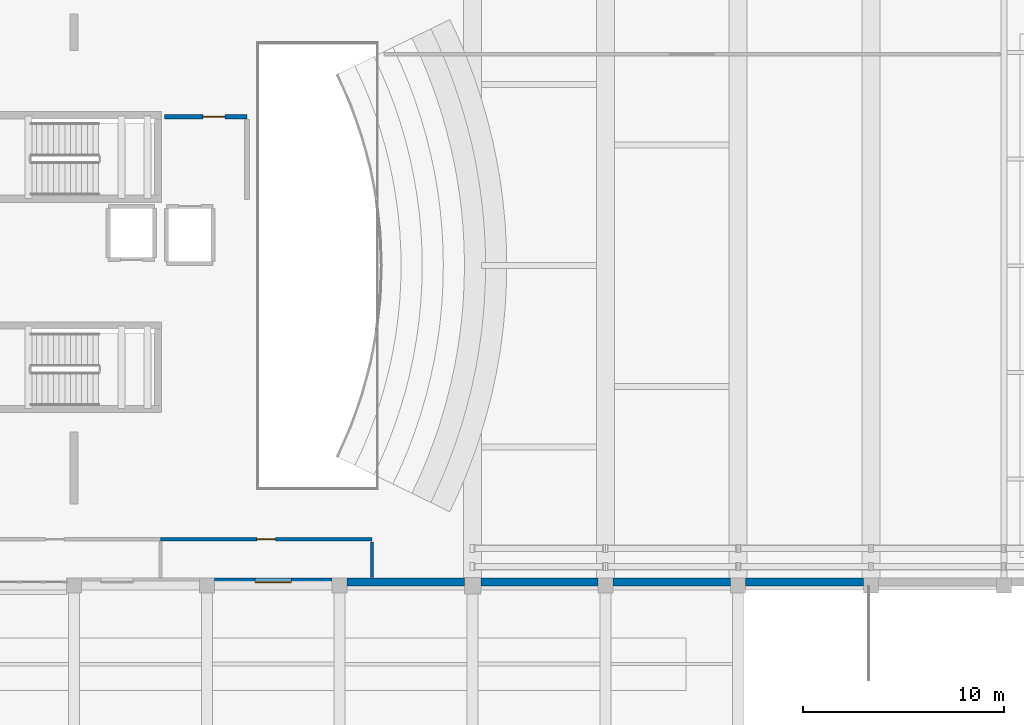
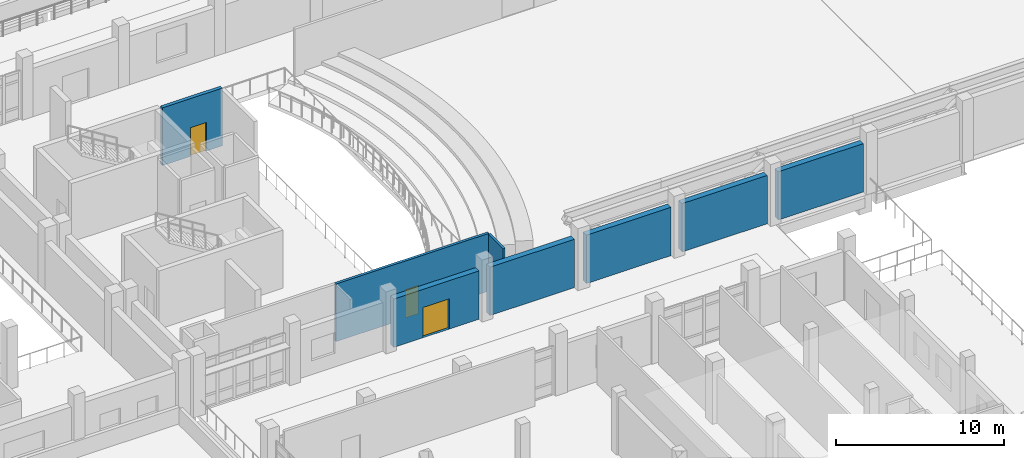
# One storey, part 40 of 54: 8 walls, 3 doors, 3 openings.
"""IFC4 building model written with IfcOpenShell, lengths in metres."""

from ifc_helpers import new_model, si_unit, direction, frame, frame_2d, origin, place, context, subcontext, project, spatial, rectangle, extrude, material, layer, layer_set, type_object, element, fill, save


model = new_model("IFC4")

# Units and contexts
model_context = context("Model", 3, precision=1e-05, world=origin(), true_north=direction((0.0, 1.0)))
body_context = subcontext(model_context, "Body", "Model", "MODEL_VIEW")
ifc_project = project(units=[si_unit("LENGTHUNIT", "METRE"), si_unit("AREAUNIT", "SQUARE_METRE"), si_unit("VOLUMEUNIT", "CUBIC_METRE"), si_unit("PLANEANGLEUNIT", "RADIAN"), si_unit("MASSUNIT", "GRAM", prefix="KILO")], contexts=[model_context])

# Site, building, storey
site_placement = place(None, origin())
site = spatial("IfcSite", under=ifc_project, at=site_placement, CompositionType="ELEMENT")
building_placement = place(site_placement, origin())
building = spatial("IfcBuilding", under=site, at=building_placement, Name="Kelarvand Opera House", CompositionType="ELEMENT")
storey_placement = place(building_placement, frame((0.0, 0.0, 15.0)))
storey = spatial("IfcBuildingStorey", under=building, at=storey_placement, Name="L03", CompositionType="ELEMENT", Elevation=15.0)

# Walls
ifc_material_1 = material(Name="Concrete C35/45", Category="concrete")
ifc_layer_1 = layer(ifc_material_1, 0.39990234375, Name="Concrete C35/45", Category="concrete")
ifc_layer_set_1 = layer_set([ifc_layer_1], Name="Concrete C35/45")
wall_type_1 = type_object("IfcWallType", Name="Acoustic Brick-Travertine Double Wall 400", PredefinedType="SOLIDWALL", material=ifc_layer_set_1)
wall_1_placement = place(storey_placement, frame((134.824951171875, 46.780029296875, 0.0), z_axis=(0.0, 0.0, 1.0), x_axis=(-1.0, 0.0, 0.0)))
element("IfcWall", 1, at=wall_1_placement, inside=storey, type_object=wall_type_1, Name="V1 L03 Exterior Wall EW-400 (143)", PredefinedType="SOLIDWALL", context=body_context, shape_type="SweptSolid", body=[
    extrude(rectangle(XDim=5.849853515625, YDim=0.39990234375, at=frame_2d((2.9248046875, 0.0))), origin(), (0.0, 0.0, 1.0), 3.511962890625),
])
wall_2_placement = place(storey_placement, frame((128.22509765625, 46.780029296875, 0.0), z_axis=(0.0, 0.0, 1.0), x_axis=(-1.0, 0.0, 0.0)))
element("IfcWall", 2, at=wall_2_placement, inside=storey, type_object=wall_type_1, Name="V1 L03 Exterior Wall EW-400 (144)", PredefinedType="SOLIDWALL", context=body_context, shape_type="SweptSolid", body=[
    extrude(rectangle(XDim=5.85009765625, YDim=0.39990234375, at=frame_2d((2.925048828125, 0.0))), origin(), (0.0, 0.0, 1.0), 3.511962890625),
])
for number, where, z_axis, x_axis, name in (
    (3, (121.625, 46.780029296875, 0.0), (0.0, 0.0, 1.0), (-1.0, 0.0, 0.0), "V1 L03 Exterior Wall EW-400 (145)"),
    (4, (114.989990234375, 46.780029296875, 0.0), (0.0, 0.0, 1.0), (-1.0, 0.0, 0.0), "V1 L03 Exterior Wall EW-400 (146)"),
):
    element("IfcWall", number, at=place(storey_placement, frame(where, z_axis=z_axis, x_axis=x_axis)), inside=storey, type_object=wall_type_1, Name=name, PredefinedType="SOLIDWALL", context=body_context, shape_type="SweptSolid", body=[
        extrude(rectangle(XDim=5.81494140625, YDim=0.39990234375, at=frame_2d((2.907470703125, 0.0))), origin(), (0.0, 0.0, 1.0), 3.511962890625),
    ])

# Wall, opening, door
wall_3_placement = place(storey_placement, frame((108.425048828125, 46.780029296875, 0.0), z_axis=(0.0, 0.0, 1.0), x_axis=(-1.0, 0.0, 0.0)))
wall_3 = element("IfcWall", 5, at=wall_3_placement, inside=storey, type_object=wall_type_1, Name="V1 L03 Exterior Wall EW-400 (147)", PredefinedType="SOLIDWALL", context=body_context, shape_type="SweptSolid", body=[
    extrude(rectangle(XDim=5.85009765625, YDim=0.39990234375, at=frame_2d((2.925048828125, 0.0))), origin(), (0.0, 0.0, 1.0), 3.511962890625),
])
opening_1_placement = place(wall_3_placement, frame((2.02490234375, 0.0, 0.0)))
opening_1 = element("IfcOpeningElement", 6, at=opening_1_placement, cuts=wall_3, Name="Opening TD-180", PredefinedType="OPENING", context=body_context, shape_type="SweptSolid", body=[
    extrude(rectangle(XDim=1.800048828125, YDim=2.199951171875, at=frame_2d((0.89990234375, 1.10009765625))), frame((0.0, 0.2099609375, 0.0), z_axis=(0.0, -1.0, 0.0), x_axis=(1.0, 0.0, 0.0)), (0.0, 0.0, 1.0), 0.419921875),
])
ifc_material_2 = material(Name="Thermally broken bronze-anodised aluminium and safety glass", Category="aluminium")
door_type_1 = type_object("IfcDoorType", Name="Glazed Planted Roof Terrace Double Door 1800x2200", OperationType="NOTDEFINED", PredefinedType="DOOR", material=ifc_material_2)
door_1_placement = place(opening_1_placement, origin())
door_1 = element("IfcDoor", 7, at=door_1_placement, inside=storey, type_object=door_type_1, Name="V1 L03 Planted Terrace Door 2", OperationType="DOUBLE_DOOR_SINGLE_SWING", OverallHeight=2.199951171875, OverallWidth=1.800048828125, PredefinedType="DOOR", context=body_context, shape_type="SweptSolid", body=[
    extrude(rectangle(XDim=1.800048828125, YDim=2.199951171875, at=frame_2d((0.89990234375, 1.10009765625))), frame((0.0, 0.02490234375, 0.0), z_axis=(0.0, -1.0, 0.0), x_axis=(1.0, 0.0, 0.0)), (0.0, 0.0, 1.0), 0.050048828125),
])
fill(opening_1, door_1)

# Wall
ifc_material_3 = material(Name="Acoustic double-stud gypsum partition")
ifc_layer_2 = layer(ifc_material_3, 0.14990234375, Name="Acoustic double-stud gypsum partition")
ifc_layer_set_2 = layer_set([ifc_layer_2], Name="Acoustic double-stud gypsum partition")
wall_type_2 = type_object("IfcWallType", Name="Acoustic Room Partition Wall 150", PredefinedType="PARTITIONING", material=ifc_layer_set_2)
wall_4_placement = place(storey_placement, frame((110.39990234375, 47.0, 0.0), z_axis=(0.0, 0.0, 1.0), x_axis=(0.0, 1.0, 0.0)))
element("IfcWall", 8, at=wall_4_placement, inside=storey, type_object=wall_type_2, Name="V1 L03 Partition Wall IW-150 (576)", PredefinedType="PARTITIONING", context=body_context, shape_type="SweptSolid", body=[
    extrude(rectangle(XDim=1.760009765625, YDim=0.14990234375, at=frame_2d((0.8798828125, 0.0))), origin(), (0.0, 0.0, 1.0), 4.19189453125),
])

# Wall, opening, door
ifc_layer_3 = layer(ifc_material_1, 0.179931640625, Name="Concrete C35/45", Category="concrete")
ifc_layer_set_3 = layer_set([ifc_layer_3], Name="Concrete C35/45")
wall_type_3 = type_object("IfcWallType", Name="Corridor Fire-Rated Partition Wall 180 EI90", PredefinedType="PARTITIONING", material=ifc_layer_set_3)
wall_5_placement = place(storey_placement, frame((99.89990234375, 48.89990234375, 0.0), z_axis=(0.0, 0.0, 1.0), x_axis=(1.0, 0.0, 0.0)))
wall_5 = element("IfcWall", 9, at=wall_5_placement, inside=storey, type_object=wall_type_3, Name="V1 L03 Partition Wall IW-90 (577)", PredefinedType="PARTITIONING", context=body_context, shape_type="SweptSolid", body=[
    extrude(rectangle(XDim=10.5, YDim=0.179931640625, at=frame_2d((5.25, 0.0))), origin(), (0.0, 0.0, 1.0), 4.19189453125),
])
opening_2_placement = place(wall_5_placement, frame((4.7900390625, 0.0, 0.0)))
opening_2 = element("IfcOpeningElement", 10, at=opening_2_placement, cuts=wall_5, Name="Opening D-01", PredefinedType="OPENING", context=body_context, shape_type="SweptSolid", body=[
    extrude(rectangle(XDim=0.919921875, YDim=2.050048828125, at=frame_2d((0.4599609375, 1.02490234375))), frame((0.0, 0.10009765625, 0.0), z_axis=(0.0, -1.0, 0.0), x_axis=(1.0, 0.0, 0.0)), (0.0, 0.0, 1.0), 0.199951171875),
])
ifc_material_4 = material(Name="Acoustic walnut-veneered hardwood", Category="wood")
door_type_2 = type_object("IfcDoorType", Name="Solid Timber Dressing and WC Door 920x2050", OperationType="NOTDEFINED", PredefinedType="DOOR", material=ifc_material_4)
door_2_placement = place(opening_2_placement, origin())
door_2 = element("IfcDoor", 11, at=door_2_placement, inside=storey, type_object=door_type_2, Name="V1 L03 Door D-01 (257)", OperationType="SINGLE_SWING_LEFT", OverallHeight=2.050048828125, OverallWidth=0.919921875, PredefinedType="DOOR", context=body_context, shape_type="SweptSolid", body=[
    extrude(rectangle(XDim=0.919921875, YDim=2.050048828125, at=frame_2d((0.4599609375, 1.02490234375))), frame((0.0, 0.02490234375, 0.0), z_axis=(0.0, -1.0, 0.0), x_axis=(1.0, 0.0, 0.0)), (0.0, 0.0, 1.0), 0.050048828125),
])
fill(opening_2, door_2)

ifc_layer_4 = layer(ifc_material_1, 0.239990234375, Name="Concrete C35/45", Category="concrete")
ifc_layer_set_4 = layer_set([ifc_layer_4], Name="Concrete C35/45")
wall_type_4 = type_object("IfcWallType", Name="Firefighting Lobby Partition Wall 240 EI120", PredefinedType="PARTITIONING", material=ifc_layer_set_4)
wall_6_placement = place(storey_placement, frame((104.199951171875, 69.89990234375, 0.0), z_axis=(0.0, 0.0, 1.0), x_axis=(-1.0, 0.0, 0.0)))
wall_6 = element("IfcWall", 12, at=wall_6_placement, inside=storey, type_object=wall_type_4, Name="V1 L03 Partition Wall IW-120 (555)", PredefinedType="PARTITIONING", context=body_context, shape_type="SweptSolid", body=[
    extrude(rectangle(XDim=4.099853515625, YDim=0.239990234375, at=frame_2d((2.0498046875, 0.0))), origin(), (0.0, 0.0, 1.0), 4.19189453125),
])
opening_3_placement = place(wall_6_placement, frame((1.10009765625, 0.0, 0.0)))
opening_3 = element("IfcOpeningElement", 13, at=opening_3_placement, cuts=wall_6, Name="Opening FD-01", PredefinedType="OPENING", context=body_context, shape_type="SweptSolid", body=[
    extrude(rectangle(XDim=1.10009765625, YDim=2.080078125, at=frame_2d((0.550048828125, 1.0400390625))), frame((0.0, 0.1298828125, 0.0), z_axis=(0.0, -1.0, 0.0), x_axis=(1.0, 0.0, 0.0)), (0.0, 0.0, 1.0), 0.260009765625),
])
ifc_material_5 = material(Name="Fire-rated brushed stainless steel", Category="steel")
door_type_3 = type_object("IfcDoorType", Name="Steel Fire-Rated Stair and FF Lobby Door 1100x2080", OperationType="NOTDEFINED", PredefinedType="DOOR", material=ifc_material_5)
door_3_placement = place(opening_3_placement, origin())
door_3 = element("IfcDoor", 14, at=door_3_placement, inside=storey, type_object=door_type_3, Name="V1 L03 Door FD-01 (249)", OperationType="SINGLE_SWING_LEFT", OverallHeight=2.080078125, OverallWidth=1.10009765625, PredefinedType="DOOR", context=body_context, shape_type="SweptSolid", body=[
    extrude(rectangle(XDim=1.10009765625, YDim=2.080078125, at=frame_2d((0.550048828125, 1.0400390625))), frame((0.0, 0.02490234375, 0.0), z_axis=(0.0, -1.0, 0.0), x_axis=(1.0, 0.0, 0.0)), (0.0, 0.0, 1.0), 0.050048828125),
])
fill(opening_3, door_3)

save(model, "model.ifc")
